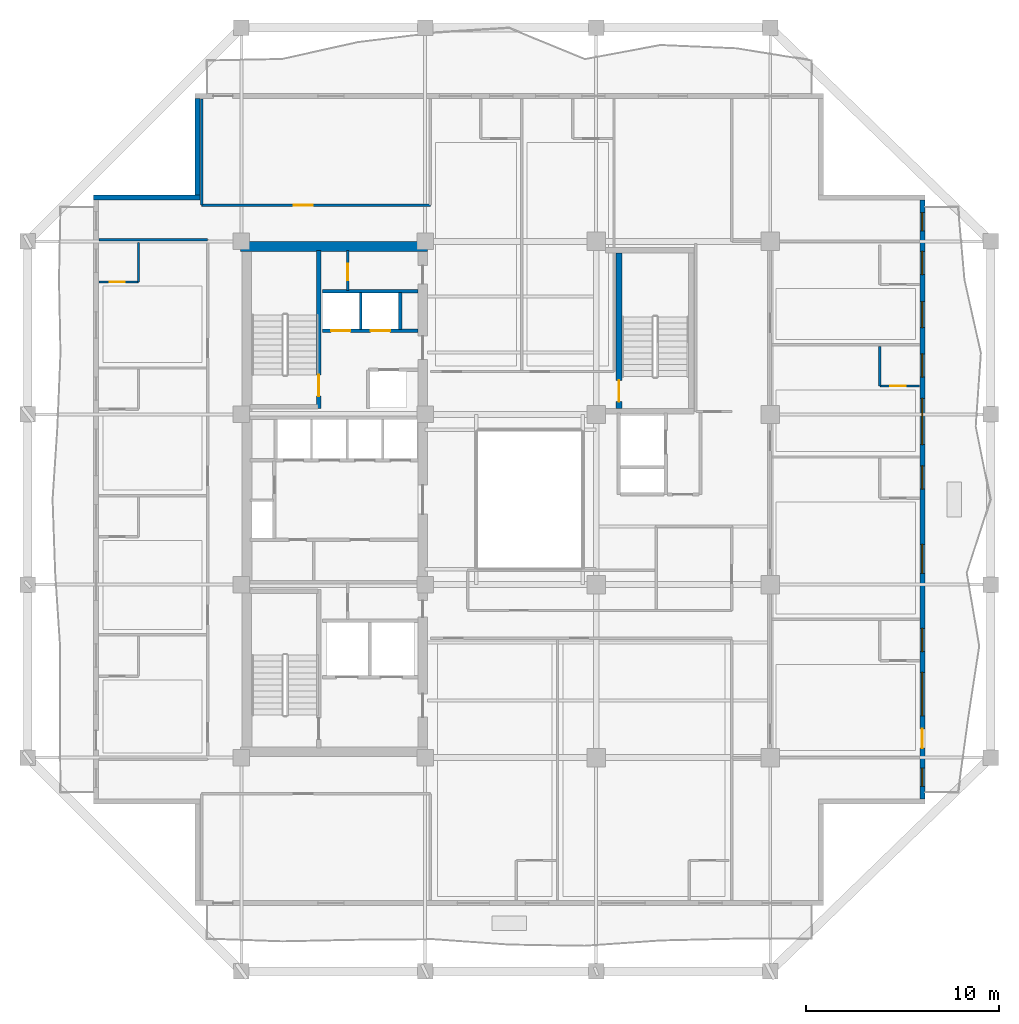
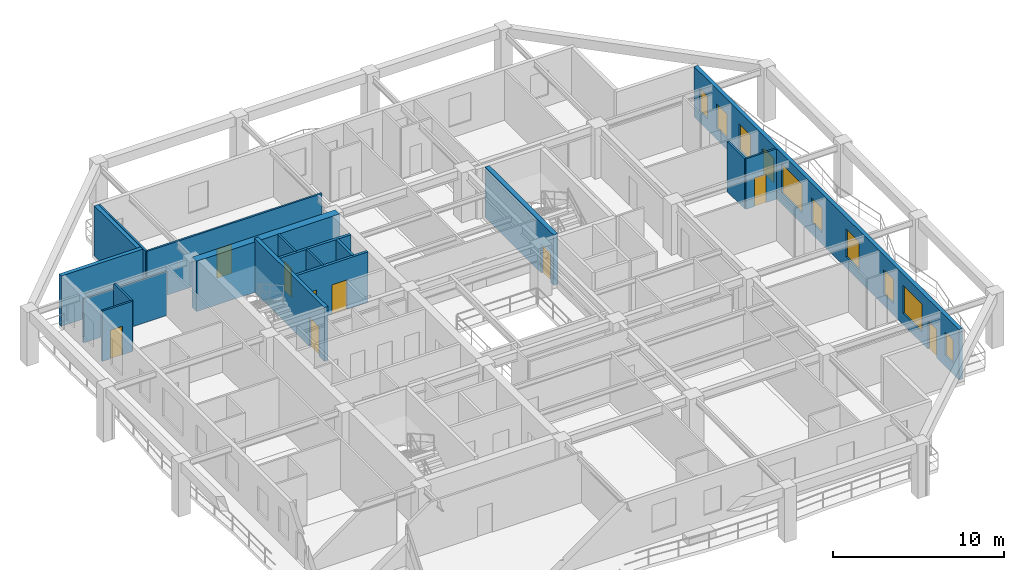
# One storey, part 6 of 13: 18 walls, 10 windows, 9 doors, 19 openings.
"""IFC4 building model written with IfcOpenShell, lengths in metres."""

from ifc_helpers import new_model, si_unit, direction, frame, frame_2d, origin, place, context, subcontext, project, spatial, rectangle, extrude, material, layer, layer_set, type_object, element, fill, save


model = new_model("IFC4")

# Units and contexts
model_context = context("Model", 3, precision=1e-05, world=origin(), true_north=direction((0.0, 1.0)))
body_context = subcontext(model_context, "Body", "Model", "MODEL_VIEW")
ifc_project = project(units=[si_unit("LENGTHUNIT", "METRE"), si_unit("AREAUNIT", "SQUARE_METRE"), si_unit("VOLUMEUNIT", "CUBIC_METRE"), si_unit("PLANEANGLEUNIT", "RADIAN"), si_unit("MASSUNIT", "GRAM", prefix="KILO")], contexts=[model_context])

# Site, building, storey
site_placement = place(None, origin())
site = spatial("IfcSite", under=ifc_project, at=site_placement, CompositionType="ELEMENT")
building_placement = place(site_placement, origin())
building = spatial("IfcBuilding", under=site, at=building_placement, Name="Kundavana Baori Tower", CompositionType="ELEMENT")
storey_placement = place(building_placement, frame((0.0, 0.0, 169.449951171875)))
storey = spatial("IfcBuildingStorey", under=building, at=storey_placement, Name="L41", CompositionType="ELEMENT", Elevation=169.449951171875)

# Wall, opening, door
ifc_material_1 = material(Name="Concrete C50/60", Category="concrete")
ifc_layer_1 = layer(ifc_material_1, 0.39990234375, Name="WL-CORE-400")
ifc_layer_set_1 = layer_set([ifc_layer_1], Name="Concrete C50/60")
wall_type_1 = type_object("IfcWallType", Name="WL-CORE-400", PredefinedType="SHEAR", material=ifc_layer_set_1)
wall_1_placement = place(storey_placement, frame((19.4599609375, 33.300048828125, 0.0), z_axis=(0.0, 0.0, 1.0), x_axis=(0.0, 1.0, 0.0)))
wall_1 = element("IfcWall", 1, at=wall_1_placement, inside=storey, type_object=wall_type_1, Name="WL-L41-ST2-E", PredefinedType="SHEAR", context=body_context, shape_type="SweptSolid", body=[
    extrude(rectangle(XDim=8.179931640625, YDim=0.239990234375, at=frame_2d((4.08984375, 0.0))), origin(), (0.0, 0.0, 1.0), 3.85009765625),
])
opening_1_placement = place(wall_1_placement, frame((0.64990234375, 0.0, 0.0)))
opening_1 = element("IfcOpeningElement", 2, at=opening_1_placement, cuts=wall_1, Name="Opening FD-110", PredefinedType="OPENING", context=body_context, shape_type="SweptSolid", body=[
    extrude(rectangle(XDim=1.10009765625, YDim=2.10009765625, at=frame_2d((0.550048828125, 1.050048828125))), frame((0.0, 0.1298828125, 0.0), z_axis=(0.0, -1.0, 0.0), x_axis=(1.0, 0.0, 0.0)), (0.0, 0.0, 1.0), 0.260009765625),
])
ifc_material_2 = material(Name="Galvanised Steel Fire-Rated Door Leaf", Category="steel")
door_type_1 = type_object("IfcDoorType", Name="DR-FD120-1100", OperationType="NOTDEFINED", PredefinedType="DOOR", material=ifc_material_2)
door_1_placement = place(opening_1_placement, origin())
door_1 = element("IfcDoor", 3, at=door_1_placement, inside=storey, type_object=door_type_1, Name="DR-L41-ST2", OperationType="SINGLE_SWING_RIGHT", OverallHeight=2.10009765625, OverallWidth=1.10009765625, PredefinedType="DOOR", context=body_context, shape_type="SweptSolid", body=[
    extrude(rectangle(XDim=1.10009765625, YDim=2.10009765625, at=frame_2d((0.550048828125, 1.050048828125))), frame((0.0, 0.02490234375, 0.0), z_axis=(0.0, -1.0, 0.0), x_axis=(1.0, 0.0, 0.0)), (0.0, 0.0, 1.0), 0.050048828125),
])
fill(opening_1, door_1)

# Wall
ifc_material_3 = material(Name="Concrete C50/60", Category="concrete")
ifc_layer_2 = layer(ifc_material_3, 0.5, Name="WL-CORE-500")
ifc_layer_set_2 = layer_set([ifc_layer_2], Name="Concrete C50/60")
wall_type_2 = type_object("IfcWallType", Name="WL-CORE-500", PredefinedType="SHEAR", material=ifc_layer_set_2)
wall_2_placement = place(storey_placement, frame((15.39990234375, 41.68994140625, 0.0), z_axis=(0.0, 0.0, 1.0), x_axis=(1.0, 0.0, 0.0)))
element("IfcWall", 4, at=wall_2_placement, inside=storey, type_object=wall_type_2, Name="L41 Offset Core North Shear Wall", PredefinedType="SHEAR", context=body_context, shape_type="SweptSolid", body=[
    extrude(rectangle(XDim=9.68017578125, YDim=0.5, at=frame_2d((4.840087890625, 0.0))), origin(), (0.0, 0.0, 1.0), 3.60009765625),
])

# Wall, openings, door, windows
ifc_material_4 = material(Name="Kiln-Fired Terracotta Brick-Slip Masonry on Concrete C40/50", Category="masonry")
ifc_layer_3 = layer(ifc_material_4, 0.260009765625, Name="WL-EXT-BRK-260")
ifc_layer_set_3 = layer_set([ifc_layer_3], Name="Kiln-Fired Terracotta Brick-Slip Masonry on Concrete C40/50")
wall_type_3 = type_object("IfcWallType", Name="WL-EXT-BRK-260", PredefinedType="SOLIDWALL", material=ifc_layer_set_3)
wall_3_placement = place(storey_placement, frame((50.669921875, 13.110107421875, 0.0), z_axis=(0.0, 0.0, 1.0), x_axis=(0.0, 1.0, 0.0)))
wall_3 = element("IfcWall", 5, at=wall_3_placement, inside=storey, type_object=wall_type_3, Name="L41 Exterior Insulated Facade Wall 04", PredefinedType="SOLIDWALL", context=body_context, shape_type="SweptSolid", body=[
    extrude(rectangle(XDim=30.97998046875, YDim=0.260009765625, at=frame_2d((15.489990234375, 0.0))), origin(), (0.0, 0.0, 1.0), 3.60009765625),
])
opening_2_placement = place(wall_3_placement, frame((0.64990234375, 0.0, 0.800048828125)))
opening_2 = element("IfcOpeningElement", 6, at=opening_2_placement, cuts=wall_3, Name="Opening W-13", PredefinedType="OPENING", context=body_context, shape_type="SweptSolid", body=[
    extrude(rectangle(XDim=0.949951171875, YDim=1.64990234375, at=frame_2d((0.47509765625, 0.824951171875))), frame((0.0, 0.14013671875, 0.0), z_axis=(0.0, -1.0, 0.0), x_axis=(1.0, 0.0, 0.0)), (0.0, 0.0, 1.0), 0.280029296875),
])
opening_3_placement = place(wall_3_placement, frame((2.6298828125, 0.0, 0.0)))
opening_3 = element("IfcOpeningElement", 7, at=opening_3_placement, cuts=wall_3, Name="Opening BD-1", PredefinedType="OPENING", context=body_context, shape_type="SweptSolid", body=[
    extrude(rectangle(XDim=1.0, YDim=2.050048828125, at=frame_2d((0.5, 1.02490234375))), frame((0.0, 0.14013671875, 0.0), z_axis=(0.0, -1.0, 0.0), x_axis=(1.0, 0.0, 0.0)), (0.0, 0.0, 1.0), 0.280029296875),
])
opening_4_placement = place(wall_3_placement, frame((4.300048828125, 0.0, 0.800048828125)))
opening_4 = element("IfcOpeningElement", 8, at=opening_4_placement, cuts=wall_3, Name="Opening W-10", PredefinedType="OPENING", context=body_context, shape_type="SweptSolid", body=[
    extrude(rectangle(XDim=2.25, YDim=2.0, at=frame_2d((1.125, 1.0))), frame((0.0, 0.14013671875, 0.0), z_axis=(0.0, -1.0, 0.0), x_axis=(1.0, 0.0, 0.0)), (0.0, 0.0, 1.0), 0.280029296875),
])
opening_5_placement = place(wall_3_placement, frame((7.625, 0.0, 0.800048828125)))
opening_5 = element("IfcOpeningElement", 9, at=opening_5_placement, cuts=wall_3, Name="Opening W-03", PredefinedType="OPENING", context=body_context, shape_type="SweptSolid", body=[
    extrude(rectangle(XDim=1.199951171875, YDim=1.75, at=frame_2d((0.60009765625, 0.875))), frame((0.0, 0.14013671875, 0.0), z_axis=(0.0, -1.0, 0.0), x_axis=(1.0, 0.0, 0.0)), (0.0, 0.0, 1.0), 0.280029296875),
])
opening_6_placement = place(wall_3_placement, frame((11.675048828125, 0.0, 0.800048828125)))
opening_6 = element("IfcOpeningElement", 10, at=opening_6_placement, cuts=wall_3, Name="Opening W-02", PredefinedType="OPENING", context=body_context, shape_type="SweptSolid", body=[
    extrude(rectangle(XDim=1.5, YDim=2.0, at=frame_2d((0.75, 1.0))), frame((0.0, 0.14013671875, 0.0), z_axis=(0.0, -1.0, 0.0), x_axis=(1.0, 0.0, 0.0)), (0.0, 0.0, 1.0), 0.280029296875),
])
opening_7_placement = place(wall_3_placement, frame((16.02490234375, 0.0, 0.800048828125)))
opening_7 = element("IfcOpeningElement", 11, at=opening_7_placement, cuts=wall_3, Name="Opening W-03", PredefinedType="OPENING", context=body_context, shape_type="SweptSolid", body=[
    extrude(rectangle(XDim=1.199951171875, YDim=1.75, at=frame_2d((0.60009765625, 0.875))), frame((0.0, 0.14013671875, 0.0), z_axis=(0.0, -1.0, 0.0), x_axis=(1.0, 0.0, 0.0)), (0.0, 0.0, 1.0), 0.280029296875),
])
opening_8_placement = place(wall_3_placement, frame((18.324951171875, 0.0, 0.800048828125)))
opening_8 = element("IfcOpeningElement", 12, at=opening_8_placement, cuts=wall_3, Name="Opening W-04", PredefinedType="OPENING", context=body_context, shape_type="SweptSolid", body=[
    extrude(rectangle(XDim=2.39990234375, YDim=2.050048828125, at=frame_2d((1.199951171875, 1.02490234375))), frame((0.0, 0.14013671875, 0.0), z_axis=(0.0, -1.0, 0.0), x_axis=(1.0, 0.0, 0.0)), (0.0, 0.0, 1.0), 0.280029296875),
])
opening_9_placement = place(wall_3_placement, frame((21.824951171875, 0.0, 0.800048828125)))
opening_9 = element("IfcOpeningElement", 13, at=opening_9_placement, cuts=wall_3, Name="Opening W-03", PredefinedType="OPENING", context=body_context, shape_type="SweptSolid", body=[
    extrude(rectangle(XDim=1.199951171875, YDim=1.75, at=frame_2d((0.60009765625, 0.875))), frame((0.0, 0.14013671875, 0.0), z_axis=(0.0, -1.0, 0.0), x_axis=(1.0, 0.0, 0.0)), (0.0, 0.0, 1.0), 0.280029296875),
])
opening_10_placement = place(wall_3_placement, frame((24.375, 0.0, 0.800048828125)))
opening_10 = element("IfcOpeningElement", 14, at=opening_10_placement, cuts=wall_3, Name="Opening W-07", PredefinedType="OPENING", context=body_context, shape_type="SweptSolid", body=[
    extrude(rectangle(XDim=1.35009765625, YDim=1.89990234375, at=frame_2d((0.675048828125, 0.949951171875))), frame((0.0, 0.14013671875, 0.0), z_axis=(0.0, -1.0, 0.0), x_axis=(1.0, 0.0, 0.0)), (0.0, 0.0, 1.0), 0.280029296875),
])
opening_11_placement = place(wall_3_placement, frame((27.125, 0.0, 0.800048828125)))
opening_11 = element("IfcOpeningElement", 15, at=opening_11_placement, cuts=wall_3, Name="Opening W-03", PredefinedType="OPENING", context=body_context, shape_type="SweptSolid", body=[
    extrude(rectangle(XDim=1.199951171875, YDim=1.75, at=frame_2d((0.60009765625, 0.875))), frame((0.0, 0.14013671875, 0.0), z_axis=(0.0, -1.0, 0.0), x_axis=(1.0, 0.0, 0.0)), (0.0, 0.0, 1.0), 0.280029296875),
])
opening_12_placement = place(wall_3_placement, frame((29.3798828125, 0.0, 0.800048828125)))
opening_12 = element("IfcOpeningElement", 16, at=opening_12_placement, cuts=wall_3, Name="Opening W-13", PredefinedType="OPENING", context=body_context, shape_type="SweptSolid", body=[
    extrude(rectangle(XDim=0.949951171875, YDim=1.64990234375, at=frame_2d((0.47509765625, 0.824951171875))), frame((0.0, 0.14013671875, 0.0), z_axis=(0.0, -1.0, 0.0), x_axis=(1.0, 0.0, 0.0)), (0.0, 0.0, 1.0), 0.280029296875),
])
ifc_material_5 = material(Name="Architectural Patinated Bronze Metalwork")
door_type_2 = type_object("IfcDoorType", Name="DR-EXT-LOG-1000", OperationType="NOTDEFINED", PredefinedType="DOOR", material=ifc_material_5)
door_2_placement = place(opening_3_placement, frame((1.0, 0.0, 0.0), z_axis=(0.0, 0.0, 1.0), x_axis=(-1.0, 0.0, 0.0)))
door_2 = element("IfcDoor", 17, at=door_2_placement, inside=storey, type_object=door_type_2, Name="L41 Loggia Balcony Access Door E", OperationType="SINGLE_SWING_LEFT", OverallHeight=2.050048828125, OverallWidth=1.0, PredefinedType="DOOR", context=body_context, shape_type="SweptSolid", body=[
    extrude(rectangle(XDim=1.0, YDim=2.050048828125, at=frame_2d((0.5, 1.02490234375))), frame((0.0, 0.02490234375, 0.0), z_axis=(0.0, -1.0, 0.0), x_axis=(1.0, 0.0, 0.0)), (0.0, 0.0, 1.0), 0.050048828125),
])
fill(opening_3, door_2)
ifc_material_6 = material(Name="Double-Glazed Solar-Control Low-E Insulated Glass", Category="glass")
window_type_1 = type_object("IfcWindowType", Name="WIN-LOG-1200x1750", PartitioningType="SINGLE_PANEL", PredefinedType="WINDOW", material=ifc_material_6)
window_1_placement = place(opening_5_placement, origin())
window_1 = element("IfcWindow", 18, at=window_1_placement, inside=storey, type_object=window_type_1, Name="L41 Recessed Loggia Window E-3", OverallHeight=1.75, OverallWidth=1.199951171875, PartitioningType="SINGLE_PANEL", PredefinedType="WINDOW", context=body_context, shape_type="SweptSolid", body=[
    extrude(rectangle(XDim=1.199951171875, YDim=1.75, at=frame_2d((0.60009765625, 0.875))), frame((0.0, 0.030029296875, 0.0), z_axis=(0.0, -1.0, 0.0), x_axis=(1.0, 0.0, 0.0)), (0.0, 0.0, 1.0), 0.06005859375),
])
fill(opening_5, window_1)
window_2_placement = place(opening_7_placement, origin())
window_2 = element("IfcWindow", 19, at=window_2_placement, inside=storey, type_object=window_type_1, Name="L41 Recessed Loggia Window E-5", OverallHeight=1.75, OverallWidth=1.199951171875, PartitioningType="SINGLE_PANEL", PredefinedType="WINDOW", context=body_context, shape_type="SweptSolid", body=[
    extrude(rectangle(XDim=1.199951171875, YDim=1.75, at=frame_2d((0.60009765625, 0.875))), frame((0.0, 0.030029296875, 0.0), z_axis=(0.0, -1.0, 0.0), x_axis=(1.0, 0.0, 0.0)), (0.0, 0.0, 1.0), 0.06005859375),
])
fill(opening_7, window_2)
window_3_placement = place(opening_9_placement, origin())
window_3 = element("IfcWindow", 20, at=window_3_placement, inside=storey, type_object=window_type_1, Name="L41 Recessed Loggia Window E-7", OverallHeight=1.75, OverallWidth=1.199951171875, PartitioningType="SINGLE_PANEL", PredefinedType="WINDOW", context=body_context, shape_type="SweptSolid", body=[
    extrude(rectangle(XDim=1.199951171875, YDim=1.75, at=frame_2d((0.60009765625, 0.875))), frame((0.0, 0.030029296875, 0.0), z_axis=(0.0, -1.0, 0.0), x_axis=(1.0, 0.0, 0.0)), (0.0, 0.0, 1.0), 0.06005859375),
])
fill(opening_9, window_3)
window_4_placement = place(opening_11_placement, origin())
window_4 = element("IfcWindow", 21, at=window_4_placement, inside=storey, type_object=window_type_1, Name="L41 Recessed Loggia Window E-9", OverallHeight=1.75, OverallWidth=1.199951171875, PartitioningType="SINGLE_PANEL", PredefinedType="WINDOW", context=body_context, shape_type="SweptSolid", body=[
    extrude(rectangle(XDim=1.199951171875, YDim=1.75, at=frame_2d((0.60009765625, 0.875))), frame((0.0, 0.030029296875, 0.0), z_axis=(0.0, -1.0, 0.0), x_axis=(1.0, 0.0, 0.0)), (0.0, 0.0, 1.0), 0.06005859375),
])
fill(opening_11, window_4)
ifc_material_7 = material(Name="Double-Glazed Solar-Control Low-E Insulated Glass", Category="glass")
window_type_2 = type_object("IfcWindowType", Name="WIN-LOG-1350x1900", PartitioningType="SINGLE_PANEL", PredefinedType="WINDOW", material=ifc_material_7)
window_5_placement = place(opening_10_placement, origin())
window_5 = element("IfcWindow", 22, at=window_5_placement, inside=storey, type_object=window_type_2, Name="L41 Recessed Loggia Window E-8", OverallHeight=1.89990234375, OverallWidth=1.35009765625, PartitioningType="SINGLE_PANEL", PredefinedType="WINDOW", context=body_context, shape_type="SweptSolid", body=[
    extrude(rectangle(XDim=1.35009765625, YDim=1.89990234375, at=frame_2d((0.675048828125, 0.949951171875))), frame((0.0, 0.030029296875, 0.0), z_axis=(0.0, -1.0, 0.0), x_axis=(1.0, 0.0, 0.0)), (0.0, 0.0, 1.0), 0.06005859375),
])
fill(opening_10, window_5)
ifc_material_8 = material(Name="Double-Glazed Solar-Control Low-E Insulated Glass", Category="glass")
window_type_3 = type_object("IfcWindowType", Name="WIN-LOG-1500x2000", PartitioningType="SINGLE_PANEL", PredefinedType="WINDOW", material=ifc_material_8)
window_6_placement = place(opening_6_placement, origin())
window_6 = element("IfcWindow", 23, at=window_6_placement, inside=storey, type_object=window_type_3, Name="L41 Recessed Loggia Window E-4", OverallHeight=2.0, OverallWidth=1.5, PartitioningType="SINGLE_PANEL", PredefinedType="WINDOW", context=body_context, shape_type="SweptSolid", body=[
    extrude(rectangle(XDim=1.5, YDim=2.0, at=frame_2d((0.75, 1.0))), frame((0.0, 0.030029296875, 0.0), z_axis=(0.0, -1.0, 0.0), x_axis=(1.0, 0.0, 0.0)), (0.0, 0.0, 1.0), 0.06005859375),
])
fill(opening_6, window_6)
ifc_material_9 = material(Name="Double-Glazed Solar-Control Low-E Insulated Glass", Category="glass")
window_type_4 = type_object("IfcWindowType", Name="WIN-LOG-2250x2000", PartitioningType="SINGLE_PANEL", PredefinedType="WINDOW", material=ifc_material_9)
window_7_placement = place(opening_4_placement, origin())
window_7 = element("IfcWindow", 24, at=window_7_placement, inside=storey, type_object=window_type_4, Name="L41 Recessed Loggia Window E-2", OverallHeight=2.0, OverallWidth=2.25, PartitioningType="SINGLE_PANEL", PredefinedType="WINDOW", context=body_context, shape_type="SweptSolid", body=[
    extrude(rectangle(XDim=2.25, YDim=2.0, at=frame_2d((1.125, 1.0))), frame((0.0, 0.030029296875, 0.0), z_axis=(0.0, -1.0, 0.0), x_axis=(1.0, 0.0, 0.0)), (0.0, 0.0, 1.0), 0.06005859375),
])
fill(opening_4, window_7)
ifc_material_10 = material(Name="Double-Glazed Solar-Control Low-E Insulated Glass", Category="glass")
window_type_5 = type_object("IfcWindowType", Name="WIN-LOG-2400x2050", PartitioningType="SINGLE_PANEL", PredefinedType="WINDOW", material=ifc_material_10)
window_8_placement = place(opening_8_placement, origin())
window_8 = element("IfcWindow", 25, at=window_8_placement, inside=storey, type_object=window_type_5, Name="L41 Recessed Loggia Window E-6", OverallHeight=2.050048828125, OverallWidth=2.39990234375, PartitioningType="SINGLE_PANEL", PredefinedType="WINDOW", context=body_context, shape_type="SweptSolid", body=[
    extrude(rectangle(XDim=2.39990234375, YDim=2.050048828125, at=frame_2d((1.199951171875, 1.02490234375))), frame((0.0, 0.030029296875, 0.0), z_axis=(0.0, -1.0, 0.0), x_axis=(1.0, 0.0, 0.0)), (0.0, 0.0, 1.0), 0.06005859375),
])
fill(opening_8, window_8)
ifc_material_11 = material(Name="Double-Glazed Solar-Control Low-E Insulated Glass", Category="glass")
window_type_6 = type_object("IfcWindowType", Name="WIN-LOG-950x1650", PartitioningType="SINGLE_PANEL", PredefinedType="WINDOW", material=ifc_material_11)
window_9_placement = place(opening_2_placement, origin())
window_9 = element("IfcWindow", 26, at=window_9_placement, inside=storey, type_object=window_type_6, Name="L41 Recessed Loggia Window E-1", OverallHeight=1.64990234375, OverallWidth=0.949951171875, PartitioningType="SINGLE_PANEL", PredefinedType="WINDOW", context=body_context, shape_type="SweptSolid", body=[
    extrude(rectangle(XDim=0.949951171875, YDim=1.64990234375, at=frame_2d((0.47509765625, 0.824951171875))), frame((0.0, 0.030029296875, 0.0), z_axis=(0.0, -1.0, 0.0), x_axis=(1.0, 0.0, 0.0)), (0.0, 0.0, 1.0), 0.06005859375),
])
fill(opening_2, window_9)
window_10_placement = place(opening_12_placement, origin())
window_10 = element("IfcWindow", 27, at=window_10_placement, inside=storey, type_object=window_type_6, Name="L41 Recessed Loggia Window E-10", OverallHeight=1.64990234375, OverallWidth=0.949951171875, PartitioningType="SINGLE_PANEL", PredefinedType="WINDOW", context=body_context, shape_type="SweptSolid", body=[
    extrude(rectangle(XDim=0.949951171875, YDim=1.64990234375, at=frame_2d((0.47509765625, 0.824951171875))), frame((0.0, 0.030029296875, 0.0), z_axis=(0.0, -1.0, 0.0), x_axis=(1.0, 0.0, 0.0)), (0.0, 0.0, 1.0), 0.06005859375),
])
fill(opening_12, window_10)

# Walls
wall_4_placement = place(storey_placement, frame((13.179931640625, 49.340087890625, 0.0), z_axis=(0.0, 0.0, 1.0), x_axis=(0.0, -1.0, 0.0)))
element("IfcWall", 28, at=wall_4_placement, inside=storey, type_object=wall_type_3, Name="L41 Exterior Insulated Facade Wall 08", PredefinedType="SOLIDWALL", context=body_context, shape_type="SweptSolid", body=[
    extrude(rectangle(XDim=4.989990234375, YDim=0.260009765625, at=frame_2d((2.4951171875, 0.0))), origin(), (0.0, 0.0, 1.0), 3.60009765625),
])
wall_5_placement = place(storey_placement, frame((13.31005859375, 44.219970703125, 0.0), z_axis=(0.0, 0.0, 1.0), x_axis=(-1.0, 0.0, 0.0)))
element("IfcWall", 29, at=wall_5_placement, inside=storey, type_object=wall_type_3, Name="L41 Exterior Insulated Facade Wall 09", PredefinedType="SOLIDWALL", context=body_context, shape_type="SweptSolid", body=[
    extrude(rectangle(XDim=5.510009765625, YDim=0.260009765625, at=frame_2d((2.7548828125, 0.0))), origin(), (0.0, 0.0, 1.0), 3.60009765625),
])
ifc_material_12 = material(Name="Acoustic Gypsum Plasterboard on Galvanised Steel Studs", Category="steel")
ifc_layer_4 = layer(ifc_material_12, 0.1201171875, Name="WL-PART-120")
ifc_layer_set_4 = layer_set([ifc_layer_4], Name="Acoustic Gypsum Plasterboard on Galvanised Steel Studs")
wall_type_4 = type_object("IfcWallType", Name="WL-PART-120", PredefinedType="PARTITIONING", material=ifc_layer_set_4)
wall_6_placement = place(storey_placement, frame((21.6201171875, 37.39990234375, 0.0), z_axis=(0.0, 0.0, 1.0), x_axis=(0.0, 1.0, 0.0)))
element("IfcWall", 30, at=wall_6_placement, inside=storey, type_object=wall_type_4, Name="WL-L41-HR-DIV1", PredefinedType="PARTITIONING", context=body_context, shape_type="SweptSolid", body=[
    extrude(rectangle(XDim=1.900146484375, YDim=0.1201171875, at=frame_2d((0.9501953125, 0.0))), origin(), (0.0, 0.0, 1.0), 3.60009765625),
])

# Wall, opening, door
wall_7_placement = place(storey_placement, frame((20.949951171875, 39.39990234375, 0.0), z_axis=(0.0, 0.0, 1.0), x_axis=(0.0, 1.0, 0.0)))
wall_7 = element("IfcWall", 31, at=wall_7_placement, inside=storey, type_object=wall_type_4, Name="WL-L41-CSRV-D2", PredefinedType="PARTITIONING", context=body_context, shape_type="SweptSolid", body=[
    extrude(rectangle(XDim=2.080078125, YDim=0.1201171875, at=frame_2d((1.0400390625, 0.0))), origin(), (0.0, 0.0, 1.0), 3.60009765625),
])
opening_13_placement = place(wall_7_placement, frame((0.550048828125, 0.0, 0.0)))
opening_13 = element("IfcOpeningElement", 32, at=opening_13_placement, cuts=wall_7, Name="Opening FD-085", PredefinedType="OPENING", context=body_context, shape_type="SweptSolid", body=[
    extrude(rectangle(XDim=0.85009765625, YDim=2.06005859375, at=frame_2d((0.425048828125, 1.030029296875))), frame((0.0, 0.070068359375, 0.0), z_axis=(0.0, -1.0, 0.0), x_axis=(1.0, 0.0, 0.0)), (0.0, 0.0, 1.0), 0.14013671875),
])
ifc_material_13 = material(Name="Galvanised Steel Fire-Rated Door Leaf", Category="steel")
door_type_3 = type_object("IfcDoorType", Name="DR-FD60-850", OperationType="NOTDEFINED", PredefinedType="DOOR", material=ifc_material_13)
door_3_placement = place(opening_13_placement, origin())
door_3 = element("IfcDoor", 33, at=door_3_placement, inside=storey, type_object=door_type_3, Name="DR-L41-CSRV1", OperationType="SINGLE_SWING_RIGHT", OverallHeight=2.06005859375, OverallWidth=0.85009765625, PredefinedType="DOOR", context=body_context, shape_type="SweptSolid", body=[
    extrude(rectangle(XDim=0.85009765625, YDim=2.06005859375, at=frame_2d((0.425048828125, 1.030029296875))), frame((0.0, 0.02490234375, 0.0), z_axis=(0.0, -1.0, 0.0), x_axis=(1.0, 0.0, 0.0)), (0.0, 0.0, 1.0), 0.050048828125),
])
fill(opening_13, door_3)

# Wall, openings, doors
ifc_material_14 = material(Name="Autoclaved Aerated Concrete Blockwork Masonry", Category="masonry")
ifc_layer_5 = layer(ifc_material_14, 0.179931640625, Name="WL-SHAFT-180")
ifc_layer_set_5 = layer_set([ifc_layer_5], Name="Autoclaved Aerated Concrete Blockwork Masonry")
wall_type_5 = type_object("IfcWallType", Name="WL-SHAFT-180", PredefinedType="SOLIDWALL", material=ifc_layer_set_5)
wall_8_placement = place(storey_placement, frame((19.639892578125, 37.340087890625, 0.0), z_axis=(0.0, 0.0, 1.0), x_axis=(1.0, 0.0, 0.0)))
wall_8 = element("IfcWall", 34, at=wall_8_placement, inside=storey, type_object=wall_type_5, Name="WL-L41-HRLOB-N", PredefinedType="SOLIDWALL", context=body_context, shape_type="SweptSolid", body=[
    extrude(rectangle(XDim=4.940185546875, YDim=0.179931640625, at=frame_2d((2.47021484375, 0.0))), origin(), (0.0, 0.0, 1.0), 3.60009765625),
])
opening_14_placement = place(wall_8_placement, frame((0.449951171875, 0.0, 0.0)))
opening_14 = element("IfcOpeningElement", 35, at=opening_14_placement, cuts=wall_8, Name="Opening LD-100", PredefinedType="OPENING", context=body_context, shape_type="SweptSolid", body=[
    extrude(rectangle(XDim=1.0, YDim=2.10009765625, at=frame_2d((0.5, 1.050048828125))), frame((0.0, 0.10009765625, 0.0), z_axis=(0.0, -1.0, 0.0), x_axis=(1.0, 0.0, 0.0)), (0.0, 0.0, 1.0), 0.199951171875),
])
opening_15_placement = place(wall_8_placement, frame((2.5, 0.0, 0.0)))
opening_15 = element("IfcOpeningElement", 36, at=opening_15_placement, cuts=wall_8, Name="Opening LD-100", PredefinedType="OPENING", context=body_context, shape_type="SweptSolid", body=[
    extrude(rectangle(XDim=1.0, YDim=2.10009765625, at=frame_2d((0.5, 1.050048828125))), frame((0.0, 0.10009765625, 0.0), z_axis=(0.0, -1.0, 0.0), x_axis=(1.0, 0.0, 0.0)), (0.0, 0.0, 1.0), 0.199951171875),
])
ifc_material_15 = material(Name="Galvanised Steel Fire-Rated Door Leaf", Category="steel")
door_type_4 = type_object("IfcDoorType", Name="DR-SLIDE-LD1000", OperationType="NOTDEFINED", PredefinedType="DOOR", material=ifc_material_15)
door_4_placement = place(opening_14_placement, frame((1.0, 0.0, 0.0), z_axis=(0.0, 0.0, 1.0), x_axis=(-1.0, 0.0, 0.0)))
door_4 = element("IfcDoor", 37, at=door_4_placement, inside=storey, type_object=door_type_4, Name="DR-L41-LD-LP09", OperationType="DOUBLE_DOOR_SLIDING", OverallHeight=2.10009765625, OverallWidth=1.0, PredefinedType="DOOR", context=body_context, shape_type="SweptSolid", body=[
    extrude(rectangle(XDim=1.0, YDim=2.10009765625, at=frame_2d((0.5, 1.050048828125))), frame((0.0, 0.02490234375, 0.0), z_axis=(0.0, -1.0, 0.0), x_axis=(1.0, 0.0, 0.0)), (0.0, 0.0, 1.0), 0.050048828125),
])
fill(opening_14, door_4)
door_5_placement = place(opening_15_placement, frame((1.0, 0.0, 0.0), z_axis=(0.0, 0.0, 1.0), x_axis=(-1.0, 0.0, 0.0)))
door_5 = element("IfcDoor", 38, at=door_5_placement, inside=storey, type_object=door_type_4, Name="DR-L41-LD-LP10", OperationType="DOUBLE_DOOR_SLIDING", OverallHeight=2.10009765625, OverallWidth=1.0, PredefinedType="DOOR", context=body_context, shape_type="SweptSolid", body=[
    extrude(rectangle(XDim=1.0, YDim=2.10009765625, at=frame_2d((0.5, 1.050048828125))), frame((0.0, 0.02490234375, 0.0), z_axis=(0.0, -1.0, 0.0), x_axis=(1.0, 0.0, 0.0)), (0.0, 0.0, 1.0), 0.050048828125),
])
fill(opening_15, door_5)

# Walls
wall_9_placement = place(storey_placement, frame((19.639892578125, 39.360107421875, 0.0), z_axis=(0.0, 0.0, 1.0), x_axis=(1.0, 0.0, 0.0)))
element("IfcWall", 39, at=wall_9_placement, inside=storey, type_object=wall_type_5, Name="WL-L41-HRLOB-TOP", PredefinedType="SOLIDWALL", context=body_context, shape_type="SweptSolid", body=[
    extrude(rectangle(XDim=4.940185546875, YDim=0.179931640625, at=frame_2d((2.47021484375, 0.0))), origin(), (0.0, 0.0, 1.0), 3.60009765625),
])
wall_10_placement = place(storey_placement, frame((23.659912109375, 37.39990234375, 0.0), z_axis=(0.0, 0.0, 1.0), x_axis=(0.0, 1.0, 0.0)))
element("IfcWall", 40, at=wall_10_placement, inside=storey, type_object=wall_type_5, Name="WL-L41-HR-DIV2", PredefinedType="SOLIDWALL", context=body_context, shape_type="SweptSolid", body=[
    extrude(rectangle(XDim=1.900146484375, YDim=0.179931640625, at=frame_2d((0.9501953125, 0.0))), origin(), (0.0, 0.0, 1.0), 3.60009765625),
])

# Wall, opening, door
ifc_material_16 = material(Name="Concrete C50/60", Category="concrete")
ifc_layer_6 = layer(ifc_material_16, 0.300048828125, Name="WL-ST3-300")
ifc_layer_set_6 = layer_set([ifc_layer_6], Name="Concrete C50/60")
wall_type_6 = type_object("IfcWallType", Name="WL-ST3-300", PredefinedType="SHEAR", material=ifc_layer_set_6)
wall_11_placement = place(storey_placement, frame((34.97998046875, 33.31005859375, 0.0), z_axis=(0.0, 0.0, 1.0), x_axis=(0.0, 1.0, 0.0)))
wall_11 = element("IfcWall", 41, at=wall_11_placement, inside=storey, type_object=wall_type_6, Name="L41 Stair ST3 West Shear Wall", PredefinedType="SHEAR", context=body_context, shape_type="SweptSolid", body=[
    extrude(rectangle(XDim=8.030029296875, YDim=0.300048828125, at=frame_2d((4.01513671875, 0.0))), origin(), (0.0, 0.0, 1.0), 3.60009765625),
])
opening_16_placement = place(wall_11_placement, frame((0.35009765625, 0.0, 0.0)))
opening_16 = element("IfcOpeningElement", 42, at=opening_16_placement, cuts=wall_11, Name="Opening FD-110", PredefinedType="OPENING", context=body_context, shape_type="SweptSolid", body=[
    extrude(rectangle(XDim=1.10009765625, YDim=2.10009765625, at=frame_2d((0.550048828125, 1.050048828125))), frame((0.0, 0.16015625, 0.0), z_axis=(0.0, -1.0, 0.0), x_axis=(1.0, 0.0, 0.0)), (0.0, 0.0, 1.0), 0.320068359375),
])
door_6_placement = place(opening_16_placement, origin())
door_6 = element("IfcDoor", 43, at=door_6_placement, inside=storey, type_object=door_type_1, Name="DR-L41-ST3-W", OperationType="SINGLE_SWING_LEFT", OverallHeight=2.10009765625, OverallWidth=1.10009765625, PredefinedType="DOOR", context=body_context, shape_type="SweptSolid", body=[
    extrude(rectangle(XDim=1.10009765625, YDim=2.10009765625, at=frame_2d((0.550048828125, 1.050048828125))), frame((0.0, 0.02490234375, 0.0), z_axis=(0.0, -1.0, 0.0), x_axis=(1.0, 0.0, 0.0)), (0.0, 0.0, 1.0), 0.050048828125),
])
fill(opening_16, door_6)

# Wall
ifc_material_17 = material(Name="Autoclaved Aerated Concrete Blockwork Masonry", Category="masonry")
ifc_layer_7 = layer(ifc_material_17, 0.125, Name="WL-WET-120")
ifc_layer_set_7 = layer_set([ifc_layer_7], Name="Autoclaved Aerated Concrete Blockwork Masonry")
wall_type_7 = type_object("IfcWallType", Name="WL-WET-120", PredefinedType="PLUMBINGWALL", material=ifc_layer_set_7)
wall_12_placement = place(storey_placement, frame((8.080078125, 42.0400390625, 0.0), z_axis=(0.0, 0.0, 1.0), x_axis=(1.0, 0.0, 0.0)))
element("IfcWall", 44, at=wall_12_placement, inside=storey, type_object=wall_type_7, Name="WL-L41-HWN", PredefinedType="PLUMBINGWALL", context=body_context, shape_type="SweptSolid", body=[
    extrude(rectangle(XDim=5.619873046875, YDim=0.125, at=frame_2d((2.81005859375, 0.0))), origin(), (0.0, 0.0, 1.0), 3.150146484375),
])

# Wall, opening, door
wall_13_placement = place(storey_placement, frame((13.389892578125, 43.820068359375, 0.0), z_axis=(0.0, 0.0, 1.0), x_axis=(1.0, 0.0, 0.0)))
wall_13 = element("IfcWall", 45, at=wall_13_placement, inside=storey, type_object=wall_type_7, Name="WL-L41-HNC", PredefinedType="PLUMBINGWALL", context=body_context, shape_type="SweptSolid", body=[
    extrude(rectangle(XDim=11.830078125, YDim=0.125, at=frame_2d((5.9150390625, 0.0))), origin(), (0.0, 0.0, 1.0), 3.60009765625),
])
opening_17_placement = place(wall_13_placement, frame((4.760009765625, 0.0, 0.0)))
opening_17 = element("IfcOpeningElement", 46, at=opening_17_placement, cuts=wall_13, Name="Opening ID-100", PredefinedType="OPENING", context=body_context, shape_type="SweptSolid", body=[
    extrude(rectangle(XDim=1.0, YDim=2.080078125, at=frame_2d((0.5, 1.0400390625))), frame((0.0, 0.072509765625, 0.0), z_axis=(0.0, -1.0, 0.0), x_axis=(1.0, 0.0, 0.0)), (0.0, 0.0, 1.0), 0.14501953125),
])
ifc_material_18 = material(Name="Engineered Teak Solid-Core Timber Veneer", Category="wood")
door_type_5 = type_object("IfcDoorType", Name="DR-INT-1000", OperationType="NOTDEFINED", PredefinedType="DOOR", material=ifc_material_18)
door_7_placement = place(opening_17_placement, origin())
door_7 = element("IfcDoor", 47, at=door_7_placement, inside=storey, type_object=door_type_5, Name="DR-L41-HMNW", OperationType="SINGLE_SWING_RIGHT", OverallHeight=2.080078125, OverallWidth=1.0, PredefinedType="DOOR", context=body_context, shape_type="SweptSolid", body=[
    extrude(rectangle(XDim=1.0, YDim=2.080078125, at=frame_2d((0.5, 1.0400390625))), frame((0.0, 0.02490234375, 0.0), z_axis=(0.0, -1.0, 0.0), x_axis=(1.0, 0.0, 0.0)), (0.0, 0.0, 1.0), 0.050048828125),
])
fill(opening_17, door_7)

# Walls
wall_14_placement = place(storey_placement, frame((13.389892578125, 43.820068359375, 0.0), z_axis=(0.0, 0.0, 1.0), x_axis=(0.0, 1.0, 0.0)))
element("IfcWall", 48, at=wall_14_placement, inside=storey, type_object=wall_type_7, Name="WL-L41-HNCW", PredefinedType="PLUMBINGWALL", context=body_context, shape_type="SweptSolid", body=[
    extrude(rectangle(XDim=5.5, YDim=0.125, at=frame_2d((2.75, 0.0))), origin(), (0.0, 0.0, 1.0), 3.60009765625),
])
wall_15_placement = place(storey_placement, frame((10.1298828125, 39.85009765625, 0.0), z_axis=(0.0, 0.0, 1.0), x_axis=(0.0, 1.0, 0.0)))
element("IfcWall", 49, at=wall_15_placement, inside=storey, type_object=wall_type_7, Name="WL-L41-HK-W4-BE", PredefinedType="PLUMBINGWALL", context=body_context, shape_type="SweptSolid", body=[
    extrude(rectangle(XDim=2.0498046875, YDim=0.125, at=frame_2d((1.02490234375, 0.0))), origin(), (0.0, 0.0, 1.0), 3.60009765625),
])

# Wall, opening, door
wall_16_placement = place(storey_placement, frame((8.080078125, 39.85009765625, 0.0), z_axis=(0.0, 0.0, 1.0), x_axis=(1.0, 0.0, 0.0)))
wall_16 = element("IfcWall", 50, at=wall_16_placement, inside=storey, type_object=wall_type_7, Name="WL-L41-HK-W4-BS", PredefinedType="PLUMBINGWALL", context=body_context, shape_type="SweptSolid", body=[
    extrude(rectangle(XDim=2.0498046875, YDim=0.125, at=frame_2d((1.02490234375, 0.0))), origin(), (0.0, 0.0, 1.0), 3.60009765625),
])
opening_18_placement = place(wall_16_placement, frame((0.550048828125, 0.0, 0.0)))
opening_18 = element("IfcOpeningElement", 51, at=opening_18_placement, cuts=wall_16, Name="Opening WD-080", PredefinedType="OPENING", context=body_context, shape_type="SweptSolid", body=[
    extrude(rectangle(XDim=0.800048828125, YDim=2.050048828125, at=frame_2d((0.39990234375, 1.02490234375))), frame((0.0, 0.072509765625, 0.0), z_axis=(0.0, -1.0, 0.0), x_axis=(1.0, 0.0, 0.0)), (0.0, 0.0, 1.0), 0.14501953125),
])
ifc_material_19 = material(Name="Engineered Teak Solid-Core Timber Veneer", Category="wood")
door_type_6 = type_object("IfcDoorType", Name="DR-WET-800", OperationType="NOTDEFINED", PredefinedType="DOOR", material=ifc_material_19)
door_8_placement = place(opening_18_placement, frame((0.800048828125, 0.0, 0.0), z_axis=(0.0, 0.0, 1.0), x_axis=(-1.0, 0.0, 0.0)))
door_8 = element("IfcDoor", 52, at=door_8_placement, inside=storey, type_object=door_type_6, Name="DR-L41-HK-W4-ENS", OperationType="SINGLE_SWING_LEFT", OverallHeight=2.050048828125, OverallWidth=0.800048828125, PredefinedType="DOOR", context=body_context, shape_type="SweptSolid", body=[
    extrude(rectangle(XDim=0.800048828125, YDim=2.050048828125, at=frame_2d((0.39990234375, 1.02490234375))), frame((0.0, 0.02490234375, 0.0), z_axis=(0.0, -1.0, 0.0), x_axis=(1.0, 0.0, 0.0)), (0.0, 0.0, 1.0), 0.050048828125),
])
fill(opening_18, door_8)

# Wall
wall_17_placement = place(storey_placement, frame((48.469970703125, 34.469970703125, 0.0), z_axis=(0.0, 0.0, 1.0), x_axis=(0.0, 1.0, 0.0)))
element("IfcWall", 53, at=wall_17_placement, inside=storey, type_object=wall_type_7, Name="WL-L41-HK-E3-BW", PredefinedType="PLUMBINGWALL", context=body_context, shape_type="SweptSolid", body=[
    extrude(rectangle(XDim=2.050048828125, YDim=0.125, at=frame_2d((1.02490234375, 0.0))), origin(), (0.0, 0.0, 1.0), 3.60009765625),
])

# Wall, opening, door
wall_18_placement = place(storey_placement, frame((48.469970703125, 34.469970703125, 0.0), z_axis=(0.0, 0.0, 1.0), x_axis=(1.0, 0.0, 0.0)))
wall_18 = element("IfcWall", 54, at=wall_18_placement, inside=storey, type_object=wall_type_7, Name="WL-L41-HK-E3-BS", PredefinedType="PLUMBINGWALL", context=body_context, shape_type="SweptSolid", body=[
    extrude(rectangle(XDim=2.050048828125, YDim=0.125, at=frame_2d((1.02490234375, 0.0))), origin(), (0.0, 0.0, 1.0), 3.60009765625),
])
opening_19_placement = place(wall_18_placement, frame((0.550048828125, 0.0, 0.0)))
opening_19 = element("IfcOpeningElement", 55, at=opening_19_placement, cuts=wall_18, Name="Opening WD-080", PredefinedType="OPENING", context=body_context, shape_type="SweptSolid", body=[
    extrude(rectangle(XDim=0.800048828125, YDim=2.050048828125, at=frame_2d((0.39990234375, 1.02490234375))), frame((0.0, 0.072509765625, 0.0), z_axis=(0.0, -1.0, 0.0), x_axis=(1.0, 0.0, 0.0)), (0.0, 0.0, 1.0), 0.14501953125),
])
door_9_placement = place(opening_19_placement, frame((0.800048828125, 0.0, 0.0), z_axis=(0.0, 0.0, 1.0), x_axis=(-1.0, 0.0, 0.0)))
door_9 = element("IfcDoor", 56, at=door_9_placement, inside=storey, type_object=door_type_6, Name="DR-L41-HK-E3-ENS", OperationType="SINGLE_SWING_LEFT", OverallHeight=2.050048828125, OverallWidth=0.800048828125, PredefinedType="DOOR", context=body_context, shape_type="SweptSolid", body=[
    extrude(rectangle(XDim=0.800048828125, YDim=2.050048828125, at=frame_2d((0.39990234375, 1.02490234375))), frame((0.0, 0.02490234375, 0.0), z_axis=(0.0, -1.0, 0.0), x_axis=(1.0, 0.0, 0.0)), (0.0, 0.0, 1.0), 0.050048828125),
])
fill(opening_19, door_9)

save(model, "model.ifc")
